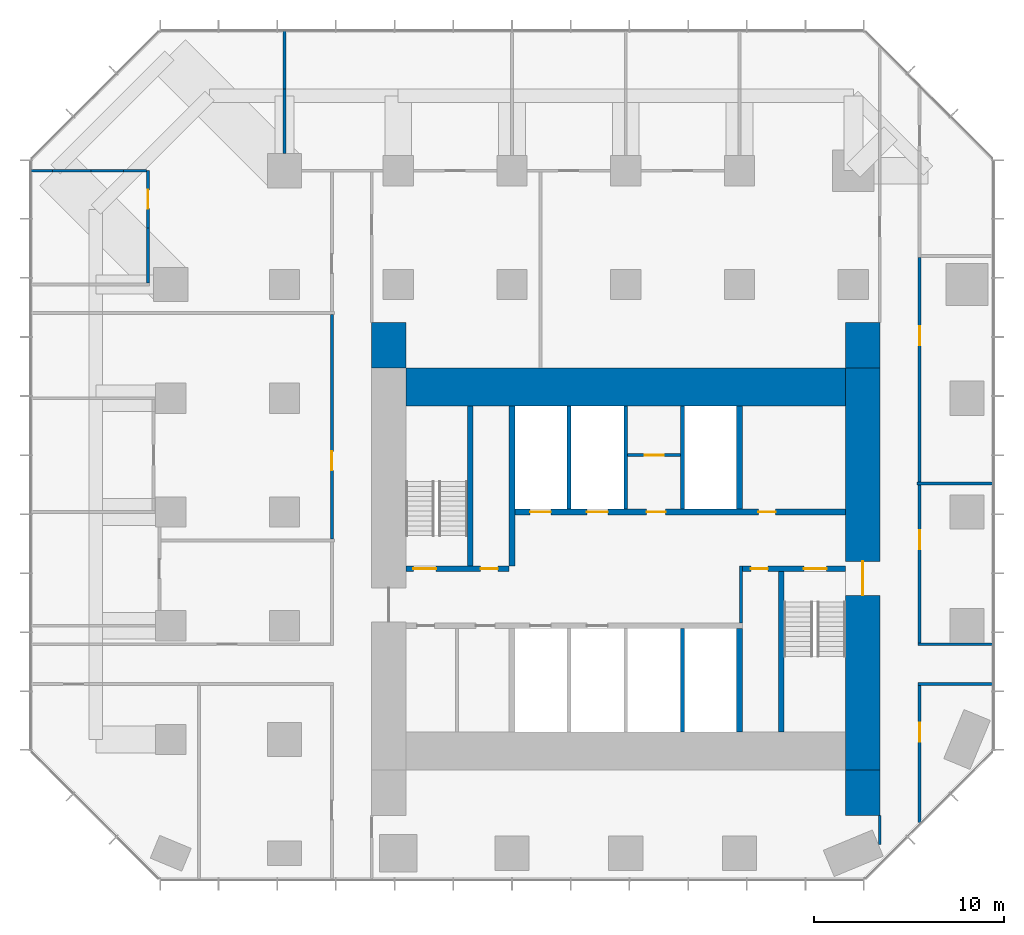
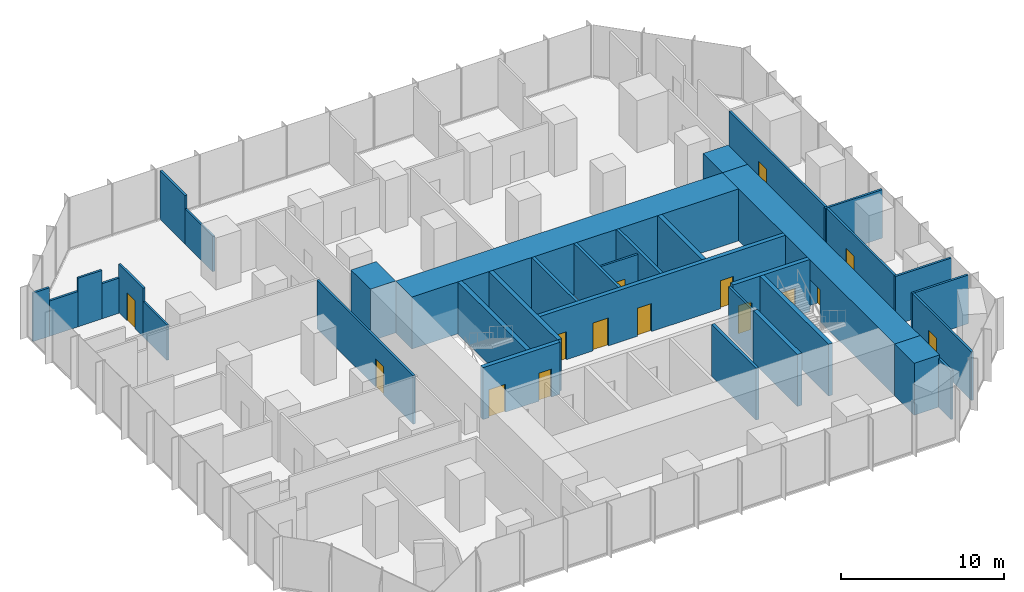
# One storey, part 9 of 11: 35 walls, 15 doors, 15 openings.
"""IFC4 building model written with IfcOpenShell, lengths in metres."""

from ifc_helpers import new_model, si_unit, direction, frame, frame_2d, origin, place, context, subcontext, project, spatial, rectangle, extrude, material, layer, layer_set, type_object, element, fill, save


model = new_model("IFC4")

# Units and contexts
model_context = context("Model", 3, precision=1e-05, world=origin(), true_north=direction((0.0, 1.0)))
body_context = subcontext(model_context, "Body", "Model", "MODEL_VIEW")
ifc_project = project(units=[si_unit("LENGTHUNIT", "METRE"), si_unit("AREAUNIT", "SQUARE_METRE"), si_unit("VOLUMEUNIT", "CUBIC_METRE"), si_unit("PLANEANGLEUNIT", "RADIAN"), si_unit("MASSUNIT", "GRAM", prefix="KILO")], contexts=[model_context])

# Site, building, storey
site_placement = place(None, origin())
site = spatial("IfcSite", under=ifc_project, at=site_placement, CompositionType="ELEMENT")
building_placement = place(site_placement, origin())
building = spatial("IfcBuilding", under=site, at=building_placement, Name="Highveld Stack Headquarters", CompositionType="ELEMENT")
storey_placement = place(building_placement, frame((0.0, 0.0, 109.39990234375)))
storey = spatial("IfcBuildingStorey", under=building, at=storey_placement, Name="L26", CompositionType="ELEMENT", Elevation=109.39990234375)

# Wall, opening, door
ifc_material_1 = material(Name="Concrete C60/75", Category="concrete")
ifc_layer_1 = layer(ifc_material_1, 1.800048828125)
ifc_layer_set_1 = layer_set([ifc_layer_1], Name="Concrete C60/75")
wall_type_1 = type_object("IfcWallType", Name="CORE WALL 1800 C60/75", PredefinedType="SHEAR", material=ifc_layer_set_1)
wall_1_placement = place(storey_placement, frame((18.5, -7.60009765625, 0.0), z_axis=(0.0, 0.0, 1.0), x_axis=(0.0, 1.0, 0.0)))
wall_1 = element("IfcWall", 1, at=wall_1_placement, inside=storey, type_object=wall_type_1, Name="Core wall E L26", PredefinedType="SHEAR", context=body_context, shape_type="SweptSolid", body=[
    extrude(rectangle(XDim=21.2001953125, YDim=1.800048828125, at=frame_2d((10.60009765625, 0.0))), origin(), (0.0, 0.0, 1.0), 3.900146484375),
])
opening_1_placement = place(wall_1_placement, frame((9.199951171875, 0.0, 0.0)))
opening_1 = element("IfcOpeningElement", 2, at=opening_1_placement, cuts=wall_1, Name="Opening L26-02", PredefinedType="OPENING", context=body_context, shape_type="SweptSolid", body=[
    extrude(rectangle(XDim=1.800048828125, YDim=2.39990234375, at=frame_2d((0.89990234375, 1.199951171875))), frame((0.0, 0.909912109375, 0.0), z_axis=(0.0, -1.0, 0.0), x_axis=(1.0, 0.0, 0.0)), (0.0, 0.0, 1.0), 1.820068359375),
])
ifc_material_2 = material(Name="Steel fire door", Category="steel")
door_type_1 = type_object("IfcDoorType", Name="LOBBY FIRE DOOR D4 1800x2400", OperationType="DOUBLE_DOOR_SINGLE_SWING", PredefinedType="DOOR", material=ifc_material_2)
door_1_placement = place(opening_1_placement, origin())
door_1 = element("IfcDoor", 3, at=door_1_placement, inside=storey, type_object=door_type_1, Name="Core east door L26", OperationType="DOUBLE_DOOR_SINGLE_SWING", OverallHeight=2.39990234375, OverallWidth=1.800048828125, PredefinedType="DOOR", context=body_context, shape_type="SweptSolid", body=[
    extrude(rectangle(XDim=1.800048828125, YDim=2.39990234375, at=frame_2d((0.89990234375, 1.199951171875))), frame((0.0, 0.02490234375, 0.0), z_axis=(0.0, -1.0, 0.0), x_axis=(1.0, 0.0, 0.0)), (0.0, 0.0, 1.0), 0.050048828125),
])
fill(opening_1, door_1)

# Wall
ifc_material_3 = material(Name="Concrete C60/75", Category="concrete")
ifc_layer_2 = layer(ifc_material_3, 2.0)
ifc_layer_set_2 = layer_set([ifc_layer_2], Name="Concrete C60/75")
wall_type_2 = type_object("IfcWallType", Name="CORE WALL 2000 C60/75", PredefinedType="SHEAR", material=ifc_layer_set_2)
wall_2_placement = place(storey_placement, frame((-5.60009765625, 12.60009765625, 0.0), z_axis=(0.0, 0.0, 1.0), x_axis=(1.0, 0.0, 0.0)))
element("IfcWall", 4, at=wall_2_placement, inside=storey, type_object=wall_type_2, Name="Core wall N L26", PredefinedType="SHEAR", context=body_context, shape_type="SweptSolid", body=[
    extrude(rectangle(XDim=23.2001953125, YDim=2.0, at=frame_2d((11.60009765625, 0.0))), origin(), (0.0, 0.0, 1.0), 3.900146484375),
])

# Wall, openings, doors
ifc_material_4 = material(Name="Concrete C60/75", Category="concrete")
ifc_layer_3 = layer(ifc_material_4, 0.300048828125)
ifc_layer_set_3 = layer_set([ifc_layer_3], Name="Concrete C60/75")
wall_type_3 = type_object("IfcWallType", Name="CORE WALL 300 C60/75", PredefinedType="SHEAR", material=ifc_layer_set_3)
wall_3_placement = place(storey_placement, frame((-5.60009765625, 3.0, 0.0), z_axis=(0.0, 0.0, 1.0), x_axis=(1.0, 0.0, 0.0)))
wall_3 = element("IfcWall", 5, at=wall_3_placement, inside=storey, type_object=wall_type_3, Name="Core wall I-Y3W L26", PredefinedType="SHEAR", context=body_context, shape_type="SweptSolid", body=[
    extrude(rectangle(XDim=5.4501953125, YDim=0.300048828125, at=frame_2d((2.72509765625, 0.0))), origin(), (0.0, 0.0, 1.0), 3.900146484375),
])
opening_2_placement = place(wall_3_placement, frame((0.39990234375, 0.0, 0.0)))
opening_2 = element("IfcOpeningElement", 6, at=opening_2_placement, cuts=wall_3, Name="Opening L26-03", PredefinedType="OPENING", context=body_context, shape_type="SweptSolid", body=[
    extrude(rectangle(XDim=1.199951171875, YDim=2.10009765625, at=frame_2d((0.60009765625, 1.050048828125))), frame((0.0, 0.159912109375, 0.0), z_axis=(0.0, -1.0, 0.0), x_axis=(1.0, 0.0, 0.0)), (0.0, 0.0, 1.0), 0.320068359375),
])
opening_3_placement = place(wall_3_placement, frame((3.949951171875, 0.0, 0.0)))
opening_3 = element("IfcOpeningElement", 7, at=opening_3_placement, cuts=wall_3, Name="Opening L26-04", PredefinedType="OPENING", context=body_context, shape_type="SweptSolid", body=[
    extrude(rectangle(XDim=0.89990234375, YDim=2.10009765625, at=frame_2d((0.449951171875, 1.050048828125))), frame((0.0, 0.159912109375, 0.0), z_axis=(0.0, -1.0, 0.0), x_axis=(1.0, 0.0, 0.0)), (0.0, 0.0, 1.0), 0.320068359375),
])
ifc_material_5 = material(Name="Steel fire door", Category="steel")
door_type_2 = type_object("IfcDoorType", Name="RISER ACCESS DOOR D5 900x2100", OperationType="SINGLE_SWING_LEFT", PredefinedType="DOOR", material=ifc_material_5)
door_2_placement = place(opening_3_placement, origin())
door_2 = element("IfcDoor", 8, at=door_2_placement, inside=storey, type_object=door_type_2, Name="Riser R1 door L26", OperationType="SINGLE_SWING_RIGHT", OverallHeight=2.10009765625, OverallWidth=0.89990234375, PredefinedType="DOOR", context=body_context, shape_type="SweptSolid", body=[
    extrude(rectangle(XDim=0.89990234375, YDim=2.10009765625, at=frame_2d((0.449951171875, 1.050048828125))), frame((0.0, 0.02490234375, 0.0), z_axis=(0.0, -1.0, 0.0), x_axis=(1.0, 0.0, 0.0)), (0.0, 0.0, 1.0), 0.050048828125),
])
fill(opening_3, door_2)
ifc_material_6 = material(Name="Steel fire door", Category="steel")
door_type_3 = type_object("IfcDoorType", Name="STAIR FIRE DOOR D3 1200x2100", OperationType="SINGLE_SWING_LEFT", PredefinedType="DOOR", material=ifc_material_6)
door_3_placement = place(opening_2_placement, origin())
door_3 = element("IfcDoor", 9, at=door_3_placement, inside=storey, type_object=door_type_3, Name="Stair S1 door L26", OperationType="SINGLE_SWING_LEFT", OverallHeight=2.10009765625, OverallWidth=1.199951171875, PredefinedType="DOOR", context=body_context, shape_type="SweptSolid", body=[
    extrude(rectangle(XDim=1.199951171875, YDim=2.10009765625, at=frame_2d((0.60009765625, 1.050048828125))), frame((0.0, 0.02490234375, 0.0), z_axis=(0.0, -1.0, 0.0), x_axis=(1.0, 0.0, 0.0)), (0.0, 0.0, 1.0), 0.050048828125),
])
fill(opening_2, door_3)

wall_4_placement = place(storey_placement, frame((12.14990234375, 3.0, 0.0), z_axis=(0.0, 0.0, 1.0), x_axis=(1.0, 0.0, 0.0)))
wall_4 = element("IfcWall", 10, at=wall_4_placement, inside=storey, type_object=wall_type_3, Name="Core wall I-Y3E L26", PredefinedType="SHEAR", context=body_context, shape_type="SweptSolid", body=[
    extrude(rectangle(XDim=5.4501953125, YDim=0.300048828125, at=frame_2d((2.72509765625, 0.0))), origin(), (0.0, 0.0, 1.0), 3.900146484375),
])
opening_4_placement = place(wall_4_placement, frame((3.25, 0.0, 0.0)))
opening_4 = element("IfcOpeningElement", 11, at=opening_4_placement, cuts=wall_4, Name="Opening L26-05", PredefinedType="OPENING", context=body_context, shape_type="SweptSolid", body=[
    extrude(rectangle(XDim=1.199951171875, YDim=2.10009765625, at=frame_2d((0.60009765625, 1.050048828125))), frame((0.0, 0.159912109375, 0.0), z_axis=(0.0, -1.0, 0.0), x_axis=(1.0, 0.0, 0.0)), (0.0, 0.0, 1.0), 0.320068359375),
])
opening_5_placement = place(wall_4_placement, frame((0.449951171875, 0.0, 0.0)))
opening_5 = element("IfcOpeningElement", 12, at=opening_5_placement, cuts=wall_4, Name="Opening L26-06", PredefinedType="OPENING", context=body_context, shape_type="SweptSolid", body=[
    extrude(rectangle(XDim=0.89990234375, YDim=2.10009765625, at=frame_2d((0.449951171875, 1.050048828125))), frame((0.0, 0.159912109375, 0.0), z_axis=(0.0, -1.0, 0.0), x_axis=(1.0, 0.0, 0.0)), (0.0, 0.0, 1.0), 0.320068359375),
])
door_4_placement = place(opening_5_placement, origin())
door_4 = element("IfcDoor", 13, at=door_4_placement, inside=storey, type_object=door_type_2, Name="Riser R2 door L26", OperationType="SINGLE_SWING_LEFT", OverallHeight=2.10009765625, OverallWidth=0.89990234375, PredefinedType="DOOR", context=body_context, shape_type="SweptSolid", body=[
    extrude(rectangle(XDim=0.89990234375, YDim=2.10009765625, at=frame_2d((0.449951171875, 1.050048828125))), frame((0.0, 0.02490234375, 0.0), z_axis=(0.0, -1.0, 0.0), x_axis=(1.0, 0.0, 0.0)), (0.0, 0.0, 1.0), 0.050048828125),
])
fill(opening_5, door_4)
door_5_placement = place(opening_4_placement, origin())
door_5 = element("IfcDoor", 14, at=door_5_placement, inside=storey, type_object=door_type_3, Name="Stair S2 door L26", OperationType="SINGLE_SWING_RIGHT", OverallHeight=2.10009765625, OverallWidth=1.199951171875, PredefinedType="DOOR", context=body_context, shape_type="SweptSolid", body=[
    extrude(rectangle(XDim=1.199951171875, YDim=2.10009765625, at=frame_2d((0.60009765625, 1.050048828125))), frame((0.0, 0.02490234375, 0.0), z_axis=(0.0, -1.0, 0.0), x_axis=(1.0, 0.0, 0.0)), (0.0, 0.0, 1.0), 0.050048828125),
])
fill(opening_4, door_5)

wall_5_placement = place(storey_placement, frame((-0.14990234375, 6.0, 0.0), z_axis=(0.0, 0.0, 1.0), x_axis=(1.0, 0.0, 0.0)))
wall_5 = element("IfcWall", 15, at=wall_5_placement, inside=storey, type_object=wall_type_3, Name="Core wall I-Y6 L26", PredefinedType="SHEAR", context=body_context, shape_type="SweptSolid", body=[
    extrude(rectangle(XDim=17.75, YDim=0.300048828125, at=frame_2d((8.875, 0.0))), origin(), (0.0, 0.0, 1.0), 3.900146484375),
])
opening_6_placement = place(wall_5_placement, frame((13.14990234375, 0.0, 0.0)))
opening_6 = element("IfcOpeningElement", 16, at=opening_6_placement, cuts=wall_5, Name="Opening L26-09", PredefinedType="OPENING", context=body_context, shape_type="SweptSolid", body=[
    extrude(rectangle(XDim=0.89990234375, YDim=2.10009765625, at=frame_2d((0.449951171875, 1.050048828125))), frame((0.0, 0.159912109375, 0.0), z_axis=(0.0, -1.0, 0.0), x_axis=(1.0, 0.0, 0.0)), (0.0, 0.0, 1.0), 0.320068359375),
])
opening_7_placement = place(wall_5_placement, frame((7.25, 0.0, 0.0)))
opening_7 = element("IfcOpeningElement", 17, at=opening_7_placement, cuts=wall_5, Name="Opening L26-11", PredefinedType="OPENING", context=body_context, shape_type="SweptSolid", body=[
    extrude(rectangle(XDim=1.0, YDim=2.10009765625, at=frame_2d((0.5, 1.050048828125))), frame((0.0, 0.159912109375, 0.0), z_axis=(0.0, -1.0, 0.0), x_axis=(1.0, 0.0, 0.0)), (0.0, 0.0, 1.0), 0.320068359375),
])
opening_8_placement = place(wall_5_placement, frame((1.10009765625, 0.0, 0.0)))
opening_8 = element("IfcOpeningElement", 18, at=opening_8_placement, cuts=wall_5, Name="Opening LD", PredefinedType="OPENING", context=body_context, shape_type="SweptSolid", body=[
    extrude(rectangle(XDim=1.10009765625, YDim=2.10009765625, at=frame_2d((0.550048828125, 1.050048828125))), frame((0.0, 0.159912109375, 0.0), z_axis=(0.0, -1.0, 0.0), x_axis=(1.0, 0.0, 0.0)), (0.0, 0.0, 1.0), 0.320068359375),
])
opening_9_placement = place(wall_5_placement, frame((4.10009765625, 0.0, 0.0)))
opening_9 = element("IfcOpeningElement", 19, at=opening_9_placement, cuts=wall_5, Name="Opening LD", PredefinedType="OPENING", context=body_context, shape_type="SweptSolid", body=[
    extrude(rectangle(XDim=1.10009765625, YDim=2.10009765625, at=frame_2d((0.550048828125, 1.050048828125))), frame((0.0, 0.159912109375, 0.0), z_axis=(0.0, -1.0, 0.0), x_axis=(1.0, 0.0, 0.0)), (0.0, 0.0, 1.0), 0.320068359375),
])
ifc_material_7 = material(Name="Steel fire door", Category="steel")
door_type_4 = type_object("IfcDoorType", Name="CORE ROOM FIRE DOOR D14 1000x2100", OperationType="SINGLE_SWING_LEFT", PredefinedType="DOOR", material=ifc_material_7)
door_6_placement = place(opening_7_placement, origin())
door_6 = element("IfcDoor", 20, at=door_6_placement, inside=storey, type_object=door_type_4, Name="Capped A 1 door L26", OperationType="SINGLE_SWING_LEFT", OverallHeight=2.10009765625, OverallWidth=1.0, PredefinedType="DOOR", context=body_context, shape_type="SweptSolid", body=[
    extrude(rectangle(XDim=1.0, YDim=2.10009765625, at=frame_2d((0.5, 1.050048828125))), frame((0.0, 0.02490234375, 0.0), z_axis=(0.0, -1.0, 0.0), x_axis=(1.0, 0.0, 0.0)), (0.0, 0.0, 1.0), 0.050048828125),
])
fill(opening_7, door_6)
ifc_material_8 = material(Name="Stainless steel lift landing door", Category="steel")
door_type_5 = type_object("IfcDoorType", Name="LIFT LANDING DOOR LD 1100x2100", OperationType="DOUBLE_DOOR_SLIDING", PredefinedType="USERDEFINED", material=ifc_material_8)
door_7_placement = place(opening_8_placement, origin())
door_7 = element("IfcDoor", 21, at=door_7_placement, inside=storey, type_object=door_type_5, Name="Lift landing door FF1 L26", ObjectType="LIFT LANDING DOOR", OperationType="DOUBLE_DOOR_SLIDING", OverallHeight=2.10009765625, OverallWidth=1.10009765625, PredefinedType="USERDEFINED", context=body_context, shape_type="SweptSolid", body=[
    extrude(rectangle(XDim=1.10009765625, YDim=2.10009765625, at=frame_2d((0.550048828125, 1.050048828125))), frame((0.0, 0.02490234375, 0.0), z_axis=(0.0, -1.0, 0.0), x_axis=(1.0, 0.0, 0.0)), (0.0, 0.0, 1.0), 0.050048828125),
])
fill(opening_8, door_7)
door_8_placement = place(opening_9_placement, origin())
door_8 = element("IfcDoor", 22, at=door_8_placement, inside=storey, type_object=door_type_5, Name="Lift landing door FF2 L26", ObjectType="LIFT LANDING DOOR", OperationType="DOUBLE_DOOR_SLIDING", OverallHeight=2.10009765625, OverallWidth=1.10009765625, PredefinedType="USERDEFINED", context=body_context, shape_type="SweptSolid", body=[
    extrude(rectangle(XDim=1.10009765625, YDim=2.10009765625, at=frame_2d((0.550048828125, 1.050048828125))), frame((0.0, 0.02490234375, 0.0), z_axis=(0.0, -1.0, 0.0), x_axis=(1.0, 0.0, 0.0)), (0.0, 0.0, 1.0), 0.050048828125),
])
fill(opening_9, door_8)
ifc_material_9 = material(Name="Timber door, painted", Category="wood")
door_type_6 = type_object("IfcDoorType", Name="WC DOOR D1 900x2100", OperationType="SINGLE_SWING_LEFT", PredefinedType="DOOR", material=ifc_material_9)
door_9_placement = place(opening_6_placement, origin())
door_9 = element("IfcDoor", 23, at=door_9_placement, inside=storey, type_object=door_type_6, Name="Male WC door L26", OperationType="SINGLE_SWING_RIGHT", OverallHeight=2.10009765625, OverallWidth=0.89990234375, PredefinedType="DOOR", context=body_context, shape_type="SweptSolid", body=[
    extrude(rectangle(XDim=0.89990234375, YDim=2.10009765625, at=frame_2d((0.449951171875, 1.050048828125))), frame((0.0, 0.02490234375, 0.0), z_axis=(0.0, -1.0, 0.0), x_axis=(1.0, 0.0, 0.0)), (0.0, 0.0, 1.0), 0.050048828125),
])
fill(opening_6, door_9)

# Walls
wall_6_placement = place(storey_placement, frame((0.0, 3.14990234375, 0.0), z_axis=(0.0, 0.0, 1.0), x_axis=(0.0, 1.0, 0.0)))
element("IfcWall", 24, at=wall_6_placement, inside=storey, type_object=wall_type_3, Name="Core wall I-X0N L26", PredefinedType="SHEAR", context=body_context, shape_type="SweptSolid", body=[
    extrude(rectangle(XDim=8.4501953125, YDim=0.300048828125, at=frame_2d((4.22509765625, 0.0))), origin(), (0.0, 0.0, 1.0), 3.900146484375),
])
for number, where, z_axis, x_axis, name in (
    (25, (12.0, -5.60009765625, 0.0), (0.0, 0.0, 1.0), (0.0, 1.0, 0.0), "Core wall I-X12S L26"),
    (26, (12.0, 6.14990234375, 0.0), (0.0, 0.0, 1.0), (0.0, 1.0, 0.0), "Core wall I-X12N L26"),
):
    element("IfcWall", number, at=place(storey_placement, frame(where, z_axis=z_axis, x_axis=x_axis)), inside=storey, type_object=wall_type_3, Name=name, PredefinedType="SHEAR", context=body_context, shape_type="SweptSolid", body=[
        extrude(rectangle(XDim=5.4501953125, YDim=0.300048828125, at=frame_2d((2.72509765625, 0.0))), origin(), (0.0, 0.0, 1.0), 3.900146484375),
    ])
for number, where, z_axis, x_axis, name in (
    (27, (-2.199951171875, 3.14990234375, 0.0), (0.0, 0.0, 1.0), (0.0, 1.0, 0.0), "Core wall I-RW L26"),
    (28, (14.199951171875, -5.60009765625, 0.0), (0.0, 0.0, 1.0), (0.0, 1.0, 0.0), "Core wall I-RE L26"),
):
    element("IfcWall", number, at=place(storey_placement, frame(where, z_axis=z_axis, x_axis=x_axis)), inside=storey, type_object=wall_type_3, Name=name, PredefinedType="SHEAR", context=body_context, shape_type="SweptSolid", body=[
        extrude(rectangle(XDim=8.4501953125, YDim=0.300048828125, at=frame_2d((4.22509765625, 0.0))), origin(), (0.0, 0.0, 1.0), 3.900146484375),
    ])
ifc_material_10 = material(Name="Concrete C60/75", Category="concrete")
ifc_layer_4 = layer(ifc_material_10, 1.800048828125)
ifc_layer_set_4 = layer_set([ifc_layer_4], Name="Concrete C60/75")
wall_type_4 = type_object("IfcWallType", Name="CORE WING WALL 1800 C60/75", PredefinedType="SHEAR", material=ifc_layer_set_4)
for number, where, z_axis, x_axis, name in (
    (29, (-6.5, 13.60009765625, 0.0), (0.0, 0.0, 1.0), (0.0, 1.0, 0.0), "Core wing wall WN L26"),
    (30, (18.5, -10.0, 0.0), (0.0, 0.0, 1.0), (0.0, 1.0, 0.0), "Core wing wall ES L26"),
    (31, (18.5, 13.60009765625, 0.0), (0.0, 0.0, 1.0), (0.0, 1.0, 0.0), "Core wing wall EN L26"),
):
    element("IfcWall", number, at=place(storey_placement, frame(where, z_axis=z_axis, x_axis=x_axis)), inside=storey, type_object=wall_type_4, Name=name, PredefinedType="SHEAR", context=body_context, shape_type="SweptSolid", body=[
        extrude(rectangle(XDim=2.39990234375, YDim=1.800048828125, at=frame_2d((1.199951171875, 0.0))), origin(), (0.0, 0.0, 1.0), 3.900146484375),
    ])

# Wall, opening, door
ifc_material_11 = material(Name="Concrete blockwork, plastered", Category="masonry")
ifc_layer_5 = layer(ifc_material_11, 0.14990234375)
ifc_layer_set_5 = layer_set([ifc_layer_5], Name="Concrete blockwork, plastered")
wall_type_5 = type_object("IfcWallType", Name="FIRE PARTITION 150 BLOCKWORK", PredefinedType="PARTITIONING", material=ifc_layer_set_5)
wall_7_placement = place(storey_placement, frame((6.10009765625, 9.0, 0.0), z_axis=(0.0, 0.0, 1.0), x_axis=(1.0, 0.0, 0.0)))
wall_7 = element("IfcWall", 32, at=wall_7_placement, inside=storey, type_object=wall_type_5, Name="Core room partition L26", PredefinedType="PARTITIONING", context=body_context, shape_type="SweptSolid", body=[
    extrude(rectangle(XDim=2.7998046875, YDim=0.14990234375, at=frame_2d((1.39990234375, 0.0))), origin(), (0.0, 0.0, 1.0), 3.650146484375),
])
opening_10_placement = place(wall_7_placement, frame((0.89990234375, 0.0, 0.0)))
opening_10 = element("IfcOpeningElement", 33, at=opening_10_placement, cuts=wall_7, Name="Opening L26-10", PredefinedType="OPENING", context=body_context, shape_type="SweptSolid", body=[
    extrude(rectangle(XDim=1.0, YDim=2.10009765625, at=frame_2d((0.5, 1.050048828125))), frame((0.0, 0.0849609375, 0.0), z_axis=(0.0, -1.0, 0.0), x_axis=(1.0, 0.0, 0.0)), (0.0, 0.0, 1.0), 0.169921875),
])
door_10_placement = place(opening_10_placement, origin())
door_10 = element("IfcDoor", 34, at=door_10_placement, inside=storey, type_object=door_type_4, Name="Capped A 2 door L26", OperationType="SINGLE_SWING_LEFT", OverallHeight=2.10009765625, OverallWidth=1.0, PredefinedType="DOOR", context=body_context, shape_type="SweptSolid", body=[
    extrude(rectangle(XDim=1.0, YDim=2.10009765625, at=frame_2d((0.5, 1.050048828125))), frame((0.0, 0.02490234375, 0.0), z_axis=(0.0, -1.0, 0.0), x_axis=(1.0, 0.0, 0.0)), (0.0, 0.0, 1.0), 0.050048828125),
])
fill(opening_10, door_10)

# Walls
wall_8_placement = place(storey_placement, frame((12.074951171875, 0.14990234375, 0.0), z_axis=(0.0, 0.0, 1.0), x_axis=(0.0, 1.0, 0.0)))
element("IfcWall", 35, at=wall_8_placement, inside=storey, type_object=wall_type_5, Name="Riser R2 enclosure L26", PredefinedType="PARTITIONING", context=body_context, shape_type="SweptSolid", body=[
    extrude(rectangle(XDim=3.0, YDim=0.14990234375, at=frame_2d((1.5, 0.0))), origin(), (0.0, 0.0, 1.0), 3.650146484375),
])
ifc_material_12 = material(Name="Concrete blockwork, fair-faced", Category="masonry")
ifc_layer_6 = layer(ifc_material_12, 0.199951171875)
ifc_layer_set_6 = layer_set([ifc_layer_6], Name="Concrete blockwork, fair-faced")
wall_type_6 = type_object("IfcWallType", Name="LIFT SHAFT ENCLOSURE WALL 200 BLOCKWORK", PredefinedType="SOLIDWALL", material=ifc_layer_set_6)
for number, where, z_axis, x_axis, name in (
    (36, (3.0, 6.14990234375, 0.0), (0.0, 0.0, 1.0), (0.0, 1.0, 0.0), "Lift shaft wall L26"),
    (37, (6.0, 6.14990234375, 0.0), (0.0, 0.0, 1.0), (0.0, 1.0, 0.0), "Lift shaft wall L26"),
    (38, (9.0, 6.14990234375, 0.0), (0.0, 0.0, 1.0), (0.0, 1.0, 0.0), "Lift shaft wall L26"),
    (39, (9.0, -5.60009765625, 0.0), (0.0, 0.0, 1.0), (0.0, 1.0, 0.0), "Lift shaft wall L26"),
):
    element("IfcWall", number, at=place(storey_placement, frame(where, z_axis=z_axis, x_axis=x_axis)), inside=storey, type_object=wall_type_6, Name=name, PredefinedType="SOLIDWALL", context=body_context, shape_type="SweptSolid", body=[
        extrude(rectangle(XDim=5.4501953125, YDim=0.199951171875, at=frame_2d((2.72509765625, 0.0))), origin(), (0.0, 0.0, 1.0), 3.900146484375),
    ])
ifc_material_13 = material(Name="Gypsum plasterboard on steel studs", Category="steel")
ifc_layer_7 = layer(ifc_material_13, 0.14990234375)
ifc_layer_set_7 = layer_set([ifc_layer_7], Name="Gypsum plasterboard on steel studs")
wall_type_7 = type_object("IfcWallType", Name="PARTITION 150 PLASTERBOARD", PredefinedType="PARTITIONING", material=ifc_layer_set_7)
wall_9_placement = place(storey_placement, frame((-25.39990234375, 24.0, 0.0), z_axis=(0.0, 0.0, 1.0), x_axis=(1.0, 0.0, 0.0)))
element("IfcWall", 40, at=wall_9_placement, inside=storey, type_object=wall_type_7, Name="Partition Tea kitchen L26", PredefinedType="PARTITIONING", context=body_context, shape_type="SweptSolid", body=[
    extrude(rectangle(XDim=1.162841796875, YDim=0.14990234375, at=frame_2d((0.58154296875, 0.0))), origin(), (0.0, 0.0, 1.0), 3.650146484375),
])
wall_10_placement = place(storey_placement, frame((-24.237060546875, 24.0, 0.0), z_axis=(0.0, 0.0, 1.0), x_axis=(1.0, 0.0, 0.0)))
element("IfcWall", 41, at=wall_10_placement, inside=storey, type_object=wall_type_7, Name="Partition Tea kitchen L26", PredefinedType="PARTITIONING", context=body_context, shape_type="SweptSolid", body=[
    extrude(rectangle(XDim=2.029052734375, YDim=0.14990234375, at=frame_2d((1.0146484375, 0.0))), origin(), (0.0, 0.0, 1.0), 2.650146484375),
])
wall_11_placement = place(storey_placement, frame((-22.2080078125, 24.0, 0.0), z_axis=(0.0, 0.0, 1.0), x_axis=(1.0, 0.0, 0.0)))
element("IfcWall", 42, at=wall_11_placement, inside=storey, type_object=wall_type_7, Name="Partition Tea kitchen L26", PredefinedType="PARTITIONING", context=body_context, shape_type="SweptSolid", body=[
    extrude(rectangle(XDim=1.718017578125, YDim=0.14990234375, at=frame_2d((0.85888671875, 0.0))), origin(), (0.0, 0.0, 1.0), 3.650146484375),
])
wall_12_placement = place(storey_placement, frame((-20.489990234375, 24.0, 0.0), z_axis=(0.0, 0.0, 1.0), x_axis=(1.0, 0.0, 0.0)))
element("IfcWall", 43, at=wall_12_placement, inside=storey, type_object=wall_type_7, Name="Partition Tea kitchen L26", PredefinedType="PARTITIONING", context=body_context, shape_type="SweptSolid", body=[
    extrude(rectangle(XDim=1.205078125, YDim=0.14990234375, at=frame_2d((0.6025390625, 0.0))), origin(), (0.0, 0.0, 1.0), 2.650146484375),
])
wall_13_placement = place(storey_placement, frame((-19.199951171875, 18.074951171875, 0.0), z_axis=(0.0, 0.0, 1.0), x_axis=(0.0, 1.0, 0.0)))
element("IfcWall", 44, at=wall_13_placement, inside=storey, type_object=wall_type_7, Name="Partition Tea kitchen L26", PredefinedType="PARTITIONING", context=body_context, shape_type="SweptSolid", body=[
    extrude(rectangle(XDim=2.917236328125, YDim=0.14990234375, at=frame_2d((1.45849609375, 0.0))), origin(), (0.0, 0.0, 1.0), 2.650146484375),
])

# Wall, opening, door
wall_14_placement = place(storey_placement, frame((-19.199951171875, 20.9921875, 0.0), z_axis=(0.0, 0.0, 1.0), x_axis=(0.0, 1.0, 0.0)))
wall_14 = element("IfcWall", 45, at=wall_14_placement, inside=storey, type_object=wall_type_7, Name="Partition Tea kitchen L26", PredefinedType="PARTITIONING", context=body_context, shape_type="SweptSolid", body=[
    extrude(rectangle(XDim=3.0078125, YDim=0.14990234375, at=frame_2d((1.50390625, 0.0))), origin(), (0.0, 0.0, 1.0), 3.650146484375),
])
opening_11_placement = place(wall_14_placement, frame((1.00390625, 0.0, 0.0)))
opening_11 = element("IfcOpeningElement", 46, at=opening_11_placement, cuts=wall_14, Name="Opening L26-14", PredefinedType="OPENING", context=body_context, shape_type="SweptSolid", body=[
    extrude(rectangle(XDim=1.0, YDim=2.10009765625, at=frame_2d((0.5, 1.050048828125))), frame((0.0, 0.0849609375, 0.0), z_axis=(0.0, -1.0, 0.0), x_axis=(1.0, 0.0, 0.0)), (0.0, 0.0, 1.0), 0.169921875),
])
ifc_material_14 = material(Name="Timber door, oiled ash", Category="wood")
door_type_7 = type_object("IfcDoorType", Name="ROOM DOOR D6 1000x2100", OperationType="SINGLE_SWING_LEFT", PredefinedType="DOOR", material=ifc_material_14)
door_11_placement = place(opening_11_placement, origin())
door_11 = element("IfcDoor", 47, at=door_11_placement, inside=storey, type_object=door_type_7, Name="Tea kitchen door 1 L26", OperationType="SINGLE_SWING_RIGHT", OverallHeight=2.10009765625, OverallWidth=1.0, PredefinedType="DOOR", context=body_context, shape_type="SweptSolid", body=[
    extrude(rectangle(XDim=1.0, YDim=2.10009765625, at=frame_2d((0.5, 1.050048828125))), frame((0.0, 0.02490234375, 0.0), z_axis=(0.0, -1.0, 0.0), x_axis=(1.0, 0.0, 0.0)), (0.0, 0.0, 1.0), 0.050048828125),
])
fill(opening_11, door_11)

# Walls
wall_15_placement = place(storey_placement, frame((-12.0, 24.89990234375, 0.0), z_axis=(0.0, 0.0, 1.0), x_axis=(0.0, 1.0, 0.0)))
element("IfcWall", 48, at=wall_15_placement, inside=storey, type_object=wall_type_7, Name="Partition Team office L26", PredefinedType="PARTITIONING", context=body_context, shape_type="SweptSolid", body=[
    extrude(rectangle(XDim=3.41015625, YDim=0.14990234375, at=frame_2d((1.705078125, 0.0))), origin(), (0.0, 0.0, 1.0), 2.650146484375),
])
wall_16_placement = place(storey_placement, frame((-12.0, 28.31005859375, 0.0), z_axis=(0.0, 0.0, 1.0), x_axis=(0.0, 1.0, 0.0)))
element("IfcWall", 49, at=wall_16_placement, inside=storey, type_object=wall_type_7, Name="Partition Team office L26", PredefinedType="PARTITIONING", context=body_context, shape_type="SweptSolid", body=[
    extrude(rectangle(XDim=3.08984375, YDim=0.14990234375, at=frame_2d((1.544921875, 0.0))), origin(), (0.0, 0.0, 1.0), 3.650146484375),
])

# Wall, opening, door
wall_17_placement = place(storey_placement, frame((-9.5, 4.574951171875, 0.0), z_axis=(0.0, 0.0, 1.0), x_axis=(0.0, 1.0, 0.0)))
wall_17 = element("IfcWall", 50, at=wall_17_placement, inside=storey, type_object=wall_type_7, Name="Partition office neighbourhood L26", PredefinedType="PARTITIONING", context=body_context, shape_type="SweptSolid", body=[
    extrude(rectangle(XDim=11.85009765625, YDim=0.14990234375, at=frame_2d((5.925048828125, 0.0))), origin(), (0.0, 0.0, 1.0), 3.650146484375),
])
opening_12_placement = place(wall_17_placement, frame((3.625, 0.0, 0.0)))
opening_12 = element("IfcOpeningElement", 51, at=opening_12_placement, cuts=wall_17, Name="Opening L26-23", PredefinedType="OPENING", context=body_context, shape_type="SweptSolid", body=[
    extrude(rectangle(XDim=1.0, YDim=2.10009765625, at=frame_2d((0.5, 1.050048828125))), frame((0.0, 0.0849609375, 0.0), z_axis=(0.0, -1.0, 0.0), x_axis=(1.0, 0.0, 0.0)), (0.0, 0.0, 1.0), 0.169921875),
])
door_12_placement = place(opening_12_placement, origin())
door_12 = element("IfcDoor", 52, at=door_12_placement, inside=storey, type_object=door_type_7, Name="Office neighbourhood door L26", OperationType="SINGLE_SWING_LEFT", OverallHeight=2.10009765625, OverallWidth=1.0, PredefinedType="DOOR", context=body_context, shape_type="SweptSolid", body=[
    extrude(rectangle(XDim=1.0, YDim=2.10009765625, at=frame_2d((0.5, 1.050048828125))), frame((0.0, 0.02490234375, 0.0), z_axis=(0.0, -1.0, 0.0), x_axis=(1.0, 0.0, 0.0)), (0.0, 0.0, 1.0), 0.050048828125),
])
fill(opening_12, door_12)

# Wall
wall_18_placement = place(storey_placement, frame((19.39990234375, -11.54052734375, 0.0), z_axis=(0.0, 0.0, 1.0), x_axis=(0.0, 1.0, 0.0)))
element("IfcWall", 53, at=wall_18_placement, inside=storey, type_object=wall_type_7, Name="Partition office neighbourhood L26", PredefinedType="PARTITIONING", context=body_context, shape_type="SweptSolid", body=[
    extrude(rectangle(XDim=1.54052734375, YDim=0.14990234375, at=frame_2d((0.770263671875, 0.0))), origin(), (0.0, 0.0, 1.0), 3.650146484375),
])

# Wall, opening, door
wall_19_placement = place(storey_placement, frame((21.5, -10.387939453125, 0.0), z_axis=(0.0, 0.0, 1.0), x_axis=(0.0, 1.0, 0.0)))
wall_19 = element("IfcWall", 54, at=wall_19_placement, inside=storey, type_object=wall_type_7, Name="Partition office neighbourhood L26", PredefinedType="PARTITIONING", context=body_context, shape_type="SweptSolid", body=[
    extrude(rectangle(XDim=7.238037109375, YDim=0.14990234375, at=frame_2d((3.619140625, 0.0))), origin(), (0.0, 0.0, 1.0), 3.650146484375),
])
opening_13_placement = place(wall_19_placement, frame((4.27099609375, 0.0, 0.0)))
opening_13 = element("IfcOpeningElement", 55, at=opening_13_placement, cuts=wall_19, Name="Opening L26-20", PredefinedType="OPENING", context=body_context, shape_type="SweptSolid", body=[
    extrude(rectangle(XDim=1.0, YDim=2.10009765625, at=frame_2d((0.5, 1.050048828125))), frame((0.0, 0.0849609375, 0.0), z_axis=(0.0, -1.0, 0.0), x_axis=(1.0, 0.0, 0.0)), (0.0, 0.0, 1.0), 0.169921875),
])
door_13_placement = place(opening_13_placement, origin())
door_13 = element("IfcDoor", 56, at=door_13_placement, inside=storey, type_object=door_type_7, Name="Office neighbourhood door L26", OperationType="SINGLE_SWING_RIGHT", OverallHeight=2.10009765625, OverallWidth=1.0, PredefinedType="DOOR", context=body_context, shape_type="SweptSolid", body=[
    extrude(rectangle(XDim=1.0, YDim=2.10009765625, at=frame_2d((0.5, 1.050048828125))), frame((0.0, 0.02490234375, 0.0), z_axis=(0.0, -1.0, 0.0), x_axis=(1.0, 0.0, 0.0)), (0.0, 0.0, 1.0), 0.050048828125),
])
fill(opening_13, door_13)

# Wall
wall_20_placement = place(storey_placement, frame((21.425048828125, -3.074951171875, 0.0), z_axis=(0.0, 0.0, 1.0), x_axis=(1.0, 0.0, 0.0)))
element("IfcWall", 57, at=wall_20_placement, inside=storey, type_object=wall_type_7, Name="Partition office neighbourhood L26", PredefinedType="PARTITIONING", context=body_context, shape_type="SweptSolid", body=[
    extrude(rectangle(XDim=3.974853515625, YDim=0.14990234375, at=frame_2d((1.9873046875, 0.0))), origin(), (0.0, 0.0, 1.0), 3.650146484375),
])

# Wall, opening, door
wall_21_placement = place(storey_placement, frame((21.5, -0.89990234375, 0.0), z_axis=(0.0, 0.0, 1.0), x_axis=(0.0, 1.0, 0.0)))
wall_21 = element("IfcWall", 58, at=wall_21_placement, inside=storey, type_object=wall_type_7, Name="Partition office neighbourhood L26", PredefinedType="PARTITIONING", context=body_context, shape_type="SweptSolid", body=[
    extrude(rectangle(XDim=8.324951171875, YDim=0.14990234375, at=frame_2d((4.16259765625, 0.0))), origin(), (0.0, 0.0, 1.0), 3.650146484375),
])
opening_14_placement = place(wall_21_placement, frame((4.93408203125, 0.0, 0.0)))
opening_14 = element("IfcOpeningElement", 59, at=opening_14_placement, cuts=wall_21, Name="Opening L26-22", PredefinedType="OPENING", context=body_context, shape_type="SweptSolid", body=[
    extrude(rectangle(XDim=1.0, YDim=2.10009765625, at=frame_2d((0.5, 1.050048828125))), frame((0.0, 0.0849609375, 0.0), z_axis=(0.0, -1.0, 0.0), x_axis=(1.0, 0.0, 0.0)), (0.0, 0.0, 1.0), 0.169921875),
])
door_14_placement = place(opening_14_placement, origin())
door_14 = element("IfcDoor", 60, at=door_14_placement, inside=storey, type_object=door_type_7, Name="Office neighbourhood door L26", OperationType="SINGLE_SWING_RIGHT", OverallHeight=2.10009765625, OverallWidth=1.0, PredefinedType="DOOR", context=body_context, shape_type="SweptSolid", body=[
    extrude(rectangle(XDim=1.0, YDim=2.10009765625, at=frame_2d((0.5, 1.050048828125))), frame((0.0, 0.02490234375, 0.0), z_axis=(0.0, -1.0, 0.0), x_axis=(1.0, 0.0, 0.0)), (0.0, 0.0, 1.0), 0.050048828125),
])
fill(opening_14, door_14)

# Wall
wall_22_placement = place(storey_placement, frame((21.425048828125, -0.97509765625, 0.0), z_axis=(0.0, 0.0, 1.0), x_axis=(1.0, 0.0, 0.0)))
element("IfcWall", 61, at=wall_22_placement, inside=storey, type_object=wall_type_7, Name="Partition office neighbourhood L26", PredefinedType="PARTITIONING", context=body_context, shape_type="SweptSolid", body=[
    extrude(rectangle(XDim=3.974853515625, YDim=0.14990234375, at=frame_2d((1.9873046875, 0.0))), origin(), (0.0, 0.0, 1.0), 3.650146484375),
])

# Wall, opening, door
wall_23_placement = place(storey_placement, frame((21.5, 7.574951171875, 0.0), z_axis=(0.0, 0.0, 1.0), x_axis=(0.0, 1.0, 0.0)))
wall_23 = element("IfcWall", 62, at=wall_23_placement, inside=storey, type_object=wall_type_7, Name="Partition office neighbourhood L26", PredefinedType="PARTITIONING", context=body_context, shape_type="SweptSolid", body=[
    extrude(rectangle(XDim=11.85009765625, YDim=0.14990234375, at=frame_2d((5.925048828125, 0.0))), origin(), (0.0, 0.0, 1.0), 3.650146484375),
])
opening_15_placement = place(wall_23_placement, frame((7.22509765625, 0.0, 0.0)))
opening_15 = element("IfcOpeningElement", 63, at=opening_15_placement, cuts=wall_23, Name="Opening L26-24", PredefinedType="OPENING", context=body_context, shape_type="SweptSolid", body=[
    extrude(rectangle(XDim=1.0, YDim=2.10009765625, at=frame_2d((0.5, 1.050048828125))), frame((0.0, 0.0849609375, 0.0), z_axis=(0.0, -1.0, 0.0), x_axis=(1.0, 0.0, 0.0)), (0.0, 0.0, 1.0), 0.169921875),
])
door_15_placement = place(opening_15_placement, origin())
door_15 = element("IfcDoor", 64, at=door_15_placement, inside=storey, type_object=door_type_7, Name="Office neighbourhood door L26", OperationType="SINGLE_SWING_RIGHT", OverallHeight=2.10009765625, OverallWidth=1.0, PredefinedType="DOOR", context=body_context, shape_type="SweptSolid", body=[
    extrude(rectangle(XDim=1.0, YDim=2.10009765625, at=frame_2d((0.5, 1.050048828125))), frame((0.0, 0.02490234375, 0.0), z_axis=(0.0, -1.0, 0.0), x_axis=(1.0, 0.0, 0.0)), (0.0, 0.0, 1.0), 0.050048828125),
])
fill(opening_15, door_15)

# Wall
wall_24_placement = place(storey_placement, frame((21.35009765625, 7.5, 0.0), z_axis=(0.0, 0.0, 1.0), x_axis=(1.0, 0.0, 0.0)))
element("IfcWall", 65, at=wall_24_placement, inside=storey, type_object=wall_type_7, Name="Partition office neighbourhood L26", PredefinedType="PARTITIONING", context=body_context, shape_type="SweptSolid", body=[
    extrude(rectangle(XDim=4.0498046875, YDim=0.14990234375, at=frame_2d((2.02490234375, 0.0))), origin(), (0.0, 0.0, 1.0), 3.650146484375),
])

save(model, "model.ifc")
